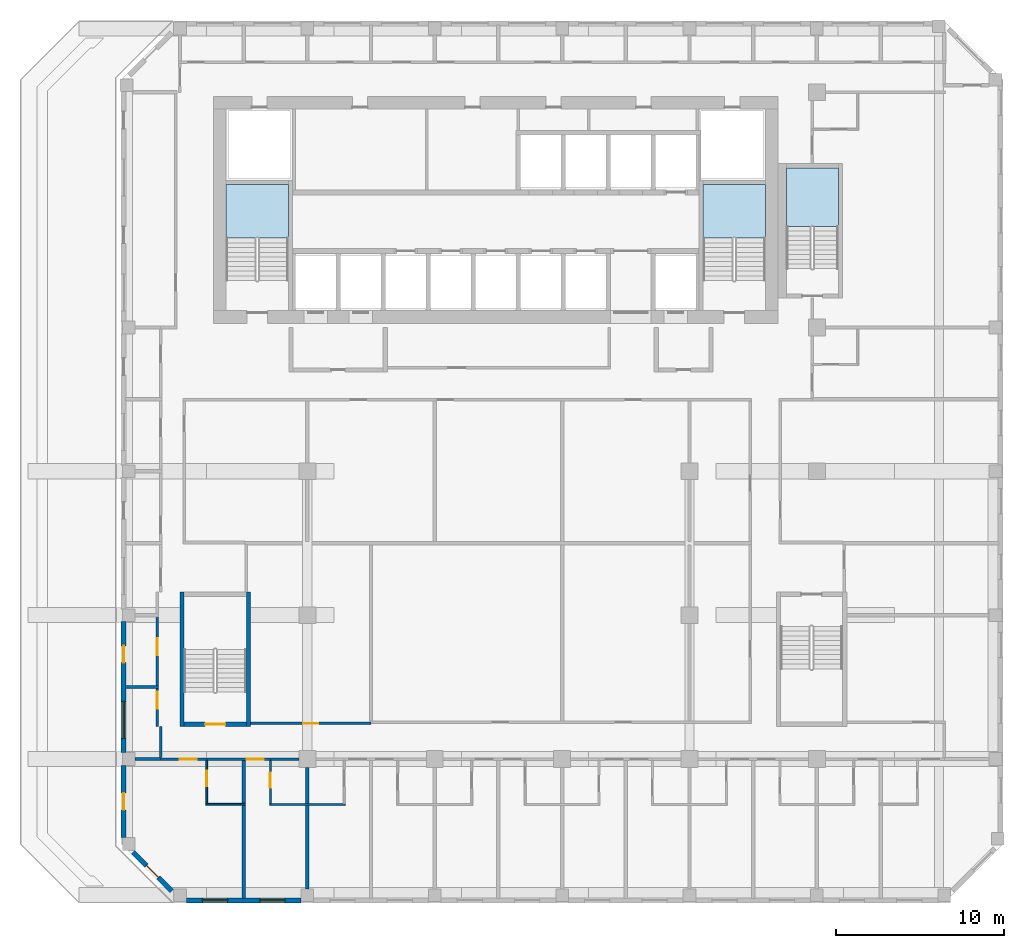
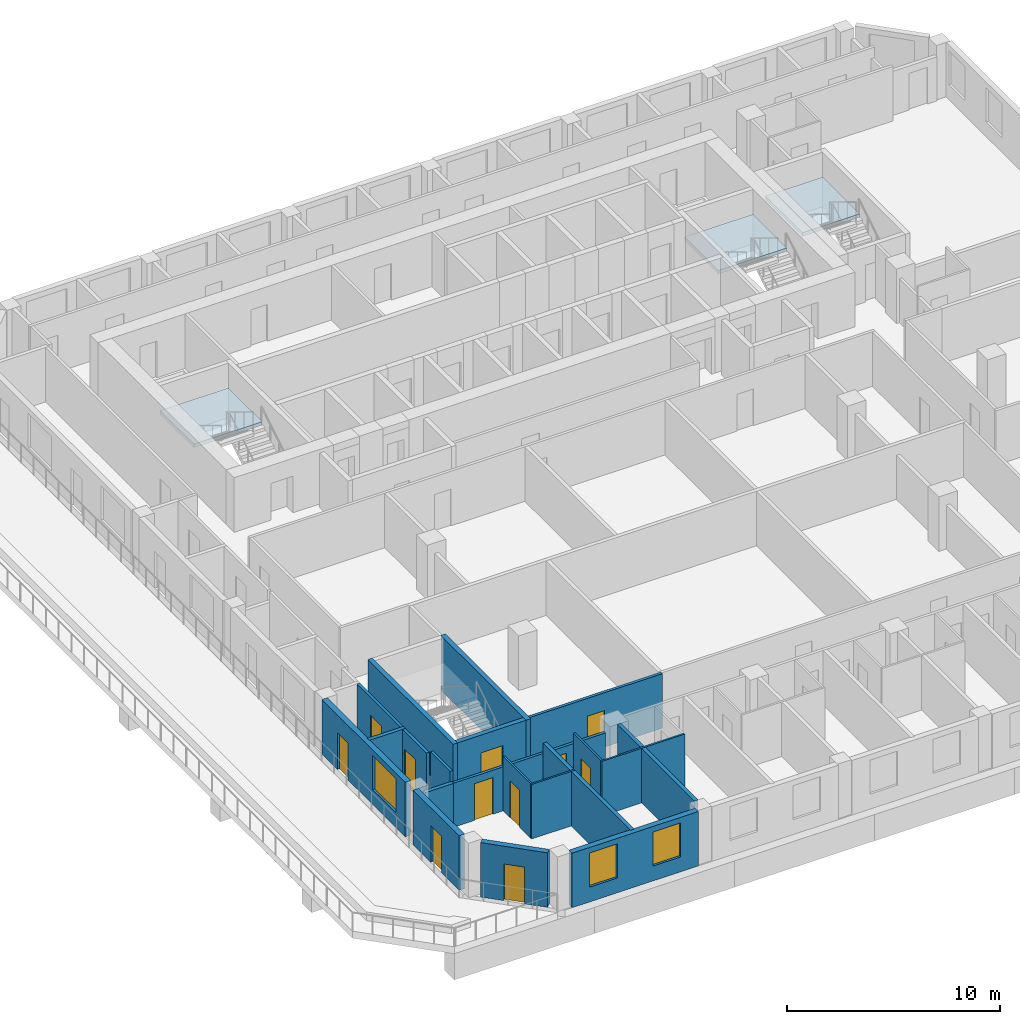
# One storey, part 2 of 16: 22 walls, 11 doors, 3 slabs, 3 windows, 14 openings, 3 elements without a shape of their own.
"""IFC4 building model written with IfcOpenShell, lengths in metres."""

from ifc_helpers import new_model, si_unit, direction, frame, frame_2d, origin, place, context, subcontext, project, spatial, polyline, rectangle, outline, extrude, source, transform, mapped, material, layer, layer_set, type_object, element, fill, aggregate, save


model = new_model("IFC4")

# Units and contexts
model_context = context("Model", 3, precision=1e-05, world=origin(), true_north=direction((0.0, 1.0)))
body_context = subcontext(model_context, "Body", "Model", "MODEL_VIEW")
ifc_project = project(units=[si_unit("LENGTHUNIT", "METRE"), si_unit("AREAUNIT", "SQUARE_METRE"), si_unit("VOLUMEUNIT", "CUBIC_METRE"), si_unit("PLANEANGLEUNIT", "RADIAN"), si_unit("MASSUNIT", "GRAM", prefix="KILO")], contexts=[model_context])

# Site, building, storey
site_placement = place(None, origin())
site = spatial("IfcSite", under=ifc_project, at=site_placement, CompositionType="ELEMENT")
building_placement = place(site_placement, origin())
building = spatial("IfcBuilding", under=site, at=building_placement, Name="Kilnfold Tower and Market Hall", CompositionType="ELEMENT")
storey_placement = place(building_placement, frame((0.0, 0.0, 199.89990234375)))
storey = spatial("IfcBuildingStorey", under=building, at=storey_placement, Name="L48", CompositionType="ELEMENT", Elevation=199.89990234375)

# Stair, slab
ifc_material_1 = material(Name="Concrete C40/50", Category="concrete")
stair_type_1 = type_object("IfcStairType", Name="CORE STAIR 1800", PredefinedType="HALF_TURN_STAIR", material=ifc_material_1)
stair_1_placement = place(storey_placement, origin())
stair_1 = element("IfcStair", 1, at=stair_1_placement, inside=storey, type_object=stair_type_1, Name="L48 ST1", PredefinedType="HALF_TURN_STAIR")
ifc_material_2 = material(Name="Concrete C40/50", Category="concrete")
ifc_layer_1 = layer(ifc_material_2, 0.199951171875)
ifc_layer_set_1 = layer_set([ifc_layer_1], Name="Concrete C40/50")
slab_type = type_object("IfcSlabType", Name="CORE STAIR LANDING 200", PredefinedType="LANDING", material=ifc_layer_set_1)
shared_shape_1 = source(origin(), body_context, "Body", "SweptSolid", [
    extrude(outline(polyline([(-11.300048828125, 13.320068359375), (-11.300048828125, 16.5), (-15.0, 16.5), (-15.0, 13.320068359375), (-11.300048828125, 13.320068359375)])), origin(), (0.0, 0.0, 1.0), 0.2001953125),
])
slab_1_placement = place(storey_placement, frame((0.0, 0.0, 1.5)))
slab_1 = element("IfcSlab", 2, at=slab_1_placement, type_object=slab_type, Name="ST1 landing 1", PredefinedType="LANDING", context=body_context, shape_type="MappedRepresentation", body=[
    mapped(shared_shape_1, transform((0.0, 0.0, 0.0))),
])
aggregate(stair_1, [slab_1])

stair_2_placement = place(storey_placement, origin())
stair_2 = element("IfcStair", 3, at=stair_2_placement, inside=storey, type_object=stair_type_1, Name="L48 ST2", PredefinedType="HALF_TURN_STAIR")
shared_shape_2 = source(origin(), body_context, "Body", "SweptSolid", [
    extrude(outline(polyline([(17.10009765625, 13.320068359375), (17.10009765625, 16.5), (13.39990234375, 16.5), (13.39990234375, 13.320068359375), (17.10009765625, 13.320068359375)])), origin(), (0.0, 0.0, 1.0), 0.2001953125),
])
slab_2_placement = place(storey_placement, frame((0.0, 0.0, 1.5)))
slab_2 = element("IfcSlab", 4, at=slab_2_placement, type_object=slab_type, Name="ST2 landing 1", PredefinedType="LANDING", context=body_context, shape_type="MappedRepresentation", body=[
    mapped(shared_shape_2, transform((0.0, 0.0, 0.0))),
])
aggregate(stair_2, [slab_2])

ifc_material_3 = material(Name="Concrete C40/50", Category="concrete")
stair_type_2 = type_object("IfcStairType", Name="CORE STAIR 1500", PredefinedType="HALF_TURN_STAIR", material=ifc_material_3)
stair_3_placement = place(storey_placement, origin())
stair_3 = element("IfcStair", 5, at=stair_3_placement, inside=storey, type_object=stair_type_2, Name="L48 ST5", PredefinedType="HALF_TURN_STAIR")
shared_shape_3 = source(origin(), body_context, "Body", "SweptSolid", [
    extrude(outline(polyline([(21.449951171875, 14.02001953125), (21.449951171875, 17.5), (18.35009765625, 17.5), (18.35009765625, 14.02001953125), (21.449951171875, 14.02001953125)])), origin(), (0.0, 0.0, 1.0), 0.2001953125),
])
slab_3_placement = place(storey_placement, frame((0.0, 0.0, 1.5)))
slab_3 = element("IfcSlab", 6, at=slab_3_placement, type_object=slab_type, Name="ST5 landing 1", PredefinedType="LANDING", context=body_context, shape_type="MappedRepresentation", body=[
    mapped(shared_shape_3, transform((0.0, 0.0, 0.0))),
])
aggregate(stair_3, [slab_3])

# Wall, openings, doors
ifc_material_4 = material(Name="Gypsum board on steel studs", Category="steel")
ifc_layer_2 = layer(ifc_material_4, 0.14990234375)
ifc_layer_set_2 = layer_set([ifc_layer_2], Name="Gypsum board on steel studs")
wall_type_1 = type_object("IfcWallType", Name="WALL CORRIDOR 150", PredefinedType="PARTITIONING", material=ifc_layer_set_2)
wall_1_placement = place(storey_placement, frame((-18.89990234375, -17.699951171875, 0.0), z_axis=(0.0, 0.0, 1.0), x_axis=(1.0, 0.0, 0.0)))
wall_1 = element("IfcWall", 7, at=wall_1_placement, inside=storey, type_object=wall_type_1, Name="Partition LY30.1", PredefinedType="PARTITIONING", context=body_context, shape_type="SweptSolid", body=[
    extrude(rectangle(XDim=8.23291015625, YDim=0.14990234375, at=frame_2d((4.116455078125, 0.0))), origin(), (0.0, 0.0, 1.0), 2.52001953125),
])
opening_1_placement = place(wall_1_placement, frame((1.135009765625, 0.0, 0.0)))
opening_1 = element("IfcOpeningElement", 8, at=opening_1_placement, cuts=wall_1, Name="Opening D1", PredefinedType="OPENING", context=body_context, shape_type="SweptSolid", body=[
    extrude(rectangle(XDim=1.0, YDim=2.10009765625, at=frame_2d((0.5, 1.050048828125))), frame((0.0, 0.0849609375, 0.0), z_axis=(0.0, -1.0, 0.0), x_axis=(1.0, 0.0, 0.0)), (0.0, 0.0, 1.0), 0.169921875),
])
opening_2_placement = place(wall_1_placement, frame((5.131103515625, 0.0, 0.0)))
opening_2 = element("IfcOpeningElement", 9, at=opening_2_placement, cuts=wall_1, Name="Opening D1", PredefinedType="OPENING", context=body_context, shape_type="SweptSolid", body=[
    extrude(rectangle(XDim=1.0, YDim=2.10009765625, at=frame_2d((0.5, 1.050048828125))), frame((0.0, 0.0849609375, 0.0), z_axis=(0.0, -1.0, 0.0), x_axis=(1.0, 0.0, 0.0)), (0.0, 0.0, 1.0), 0.169921875),
])
ifc_material_5 = material(Name="Timber veneer door leaf in steel frame", Category="steel")
door_type_1 = type_object("IfcDoorType", Name="DOOR ENTRY 1000 X2100", OperationType="NOTDEFINED", PredefinedType="DOOR", material=ifc_material_5)
door_1_placement = place(opening_1_placement, origin())
door_1 = element("IfcDoor", 10, at=door_1_placement, inside=storey, type_object=door_type_1, Name="Door D1", OperationType="SINGLE_SWING_RIGHT", OverallHeight=2.10009765625, OverallWidth=1.0, PredefinedType="DOOR", context=body_context, shape_type="SweptSolid", body=[
    extrude(rectangle(XDim=1.0, YDim=2.10009765625, at=frame_2d((0.5, 1.050048828125))), frame((0.0, 0.02490234375, 0.0), z_axis=(0.0, -1.0, 0.0), x_axis=(1.0, 0.0, 0.0)), (0.0, 0.0, 1.0), 0.050048828125),
])
fill(opening_1, door_1)
door_2_placement = place(opening_2_placement, origin())
door_2 = element("IfcDoor", 11, at=door_2_placement, inside=storey, type_object=door_type_1, Name="Door D1", OperationType="SINGLE_SWING_LEFT", OverallHeight=2.10009765625, OverallWidth=1.0, PredefinedType="DOOR", context=body_context, shape_type="SweptSolid", body=[
    extrude(rectangle(XDim=1.0, YDim=2.10009765625, at=frame_2d((0.5, 1.050048828125))), frame((0.0, 0.02490234375, 0.0), z_axis=(0.0, -1.0, 0.0), x_axis=(1.0, 0.0, 0.0)), (0.0, 0.0, 1.0), 0.050048828125),
])
fill(opening_2, door_2)

# Wall
wall_2_placement = place(storey_placement, frame((-18.89990234375, -17.597900390625, 0.0), z_axis=(0.0, 0.0, 1.0), x_axis=(0.0, 1.0, 0.0)))
element("IfcWall", 12, at=wall_2_placement, inside=storey, type_object=wall_type_1, Name="Partition LY30.9", PredefinedType="PARTITIONING", context=body_context, shape_type="SweptSolid", body=[
    extrude(rectangle(XDim=1.85498046875, YDim=0.14990234375, at=frame_2d((0.927490234375, 0.0))), origin(), (0.0, 0.0, 1.0), 3.1201171875),
])

# Wall, opening, door
wall_3_placement = place(storey_placement, frame((-19.113037109375, -15.742919921875, 0.0), z_axis=(0.0, 0.0, 1.0), x_axis=(0.0, 1.0, 0.0)))
wall_3 = element("IfcWall", 13, at=wall_3_placement, inside=storey, type_object=wall_type_1, Name="Partition LY30.10", PredefinedType="PARTITIONING", context=body_context, shape_type="SweptSolid", body=[
    extrude(rectangle(XDim=2.246826171875, YDim=0.14990234375, at=frame_2d((1.12353515625, 0.0))), origin(), (0.0, 0.0, 1.0), 3.1201171875),
])
opening_3_placement = place(wall_3_placement, frame((1.047119140625, 0.0, 0.0)))
opening_3 = element("IfcOpeningElement", 14, at=opening_3_placement, cuts=wall_3, Name="Opening D4", PredefinedType="OPENING", context=body_context, shape_type="SweptSolid", body=[
    extrude(rectangle(XDim=1.0, YDim=2.10009765625, at=frame_2d((0.5, 1.050048828125))), frame((0.0, 0.0849609375, 0.0), z_axis=(0.0, -1.0, 0.0), x_axis=(1.0, 0.0, 0.0)), (0.0, 0.0, 1.0), 0.169921875),
])
ifc_material_6 = material(Name="Timber veneer door leaf in steel frame", Category="steel")
door_type_2 = type_object("IfcDoorType", Name="DOOR SERVICE 1000 X2100", OperationType="NOTDEFINED", PredefinedType="DOOR", material=ifc_material_6)
door_3_placement = place(opening_3_placement, origin())
door_3 = element("IfcDoor", 15, at=door_3_placement, inside=storey, type_object=door_type_2, Name="Door D4", OperationType="SINGLE_SWING_LEFT", OverallHeight=2.10009765625, OverallWidth=1.0, PredefinedType="DOOR", context=body_context, shape_type="SweptSolid", body=[
    extrude(rectangle(XDim=1.0, YDim=2.10009765625, at=frame_2d((0.5, 1.050048828125))), frame((0.0, 0.02490234375, 0.0), z_axis=(0.0, -1.0, 0.0), x_axis=(1.0, 0.0, 0.0)), (0.0, 0.0, 1.0), 0.050048828125),
])
fill(opening_3, door_3)

wall_4_placement = place(storey_placement, frame((-19.113037109375, -13.31591796875, 0.0), z_axis=(0.0, 0.0, 1.0), x_axis=(0.0, 1.0, 0.0)))
wall_4 = element("IfcWall", 16, at=wall_4_placement, inside=storey, type_object=wall_type_1, Name="Partition LY30.11", PredefinedType="PARTITIONING", context=body_context, shape_type="SweptSolid", body=[
    extrude(rectangle(XDim=4.100830078125, YDim=0.14990234375, at=frame_2d((2.05029296875, 0.0))), origin(), (0.0, 0.0, 1.0), 3.1201171875),
])
opening_4_placement = place(wall_4_placement, frame((1.801025390625, 0.0, 0.0)))
opening_4 = element("IfcOpeningElement", 17, at=opening_4_placement, cuts=wall_4, Name="Opening D4", PredefinedType="OPENING", context=body_context, shape_type="SweptSolid", body=[
    extrude(rectangle(XDim=1.0, YDim=2.10009765625, at=frame_2d((0.5, 1.050048828125))), frame((0.0, 0.0849609375, 0.0), z_axis=(0.0, -1.0, 0.0), x_axis=(1.0, 0.0, 0.0)), (0.0, 0.0, 1.0), 0.169921875),
])
door_4_placement = place(opening_4_placement, origin())
door_4 = element("IfcDoor", 18, at=door_4_placement, inside=storey, type_object=door_type_2, Name="Door D4", OperationType="SINGLE_SWING_RIGHT", OverallHeight=2.10009765625, OverallWidth=1.0, PredefinedType="DOOR", context=body_context, shape_type="SweptSolid", body=[
    extrude(rectangle(XDim=1.0, YDim=2.10009765625, at=frame_2d((0.5, 1.050048828125))), frame((0.0, 0.02490234375, 0.0), z_axis=(0.0, -1.0, 0.0), x_axis=(1.0, 0.0, 0.0)), (0.0, 0.0, 1.0), 0.050048828125),
])
fill(opening_4, door_4)

wall_5_placement = place(storey_placement, frame((-6.364990234375, -15.574951171875, 0.0), z_axis=(0.0, 0.0, 1.0), x_axis=(-1.0, 0.0, 0.0)))
wall_5 = element("IfcWall", 19, at=wall_5_placement, inside=storey, type_object=wall_type_1, Name="Partition LY30.39", PredefinedType="PARTITIONING", context=body_context, shape_type="SweptSolid", body=[
    extrude(rectangle(XDim=7.18505859375, YDim=0.14990234375, at=frame_2d((3.592529296875, 0.0))), origin(), (0.0, 0.0, 1.0), 3.1201171875),
])
opening_5_placement = place(wall_5_placement, frame((3.14306640625, 0.0, 0.0)))
opening_5 = element("IfcOpeningElement", 20, at=opening_5_placement, cuts=wall_5, Name="Opening D2", PredefinedType="OPENING", context=body_context, shape_type="SweptSolid", body=[
    extrude(rectangle(XDim=0.89990234375, YDim=2.10009765625, at=frame_2d((0.449951171875, 1.050048828125))), frame((0.0, 0.0849609375, 0.0), z_axis=(0.0, -1.0, 0.0), x_axis=(1.0, 0.0, 0.0)), (0.0, 0.0, 1.0), 0.169921875),
])
ifc_material_7 = material(Name="Timber veneer door leaf in steel frame", Category="steel")
door_type_3 = type_object("IfcDoorType", Name="DOOR ROOM 900 X2100", OperationType="NOTDEFINED", PredefinedType="DOOR", material=ifc_material_7)
door_5_placement = place(opening_5_placement, origin())
door_5 = element("IfcDoor", 21, at=door_5_placement, inside=storey, type_object=door_type_3, Name="Door D2", OperationType="SINGLE_SWING_RIGHT", OverallHeight=2.10009765625, OverallWidth=0.89990234375, PredefinedType="DOOR", context=body_context, shape_type="SweptSolid", body=[
    extrude(rectangle(XDim=0.89990234375, YDim=2.10009765625, at=frame_2d((0.449951171875, 1.050048828125))), frame((0.0, 0.02490234375, 0.0), z_axis=(0.0, -1.0, 0.0), x_axis=(1.0, 0.0, 0.0)), (0.0, 0.0, 1.0), 0.050048828125),
])
fill(opening_5, door_5)

ifc_material_8 = material(Name="Gypsum board on steel studs", Category="steel")
ifc_layer_3 = layer(ifc_material_8, 0.10009765625)
ifc_layer_set_3 = layer_set([ifc_layer_3], Name="Gypsum board on steel studs")
wall_type_2 = type_object("IfcWallType", Name="WALL PARTITION 100", PredefinedType="PARTITIONING", material=ifc_layer_set_3)
wall_6_placement = place(storey_placement, frame((-16.158935546875, -20.337890625, 0.0), z_axis=(0.0, 0.0, 1.0), x_axis=(0.0, 1.0, 0.0)))
wall_6 = element("IfcWall", 22, at=wall_6_placement, inside=storey, type_object=wall_type_2, Name="Partition LY30.42", PredefinedType="PARTITIONING", context=body_context, shape_type="SweptSolid", body=[
    extrude(rectangle(XDim=2.560791015625, YDim=0.10009765625, at=frame_2d((1.2802734375, 0.0))), origin(), (0.0, 0.0, 1.0), 3.1201171875),
])
opening_6_placement = place(wall_6_placement, frame((1.041015625, 0.0, 0.0)))
opening_6 = element("IfcOpeningElement", 23, at=opening_6_placement, cuts=wall_6, Name="Opening D3", PredefinedType="OPENING", context=body_context, shape_type="SweptSolid", body=[
    extrude(rectangle(XDim=0.89990234375, YDim=2.10009765625, at=frame_2d((0.449951171875, 1.050048828125))), frame((0.0, 0.06005859375, 0.0), z_axis=(0.0, -1.0, 0.0), x_axis=(1.0, 0.0, 0.0)), (0.0, 0.0, 1.0), 0.1201171875),
])
ifc_material_9 = material(Name="Timber veneer door leaf in steel frame", Category="steel")
door_type_4 = type_object("IfcDoorType", Name="DOOR WC 900 X2100", OperationType="NOTDEFINED", PredefinedType="DOOR", material=ifc_material_9)
door_6_placement = place(opening_6_placement, origin())
door_6 = element("IfcDoor", 24, at=door_6_placement, inside=storey, type_object=door_type_4, Name="Door D3", OperationType="SINGLE_SWING_LEFT", OverallHeight=2.10009765625, OverallWidth=0.89990234375, PredefinedType="DOOR", context=body_context, shape_type="SweptSolid", body=[
    extrude(rectangle(XDim=0.89990234375, YDim=2.10009765625, at=frame_2d((0.449951171875, 1.050048828125))), frame((0.0, 0.02490234375, 0.0), z_axis=(0.0, -1.0, 0.0), x_axis=(1.0, 0.0, 0.0)), (0.0, 0.0, 1.0), 0.050048828125),
])
fill(opening_6, door_6)

# Wall
wall_7_placement = place(storey_placement, frame((-16.208984375, -20.387939453125, 0.0), z_axis=(0.0, 0.0, 1.0), x_axis=(1.0, 0.0, 0.0)))
element("IfcWall", 25, at=wall_7_placement, inside=storey, type_object=wall_type_2, Name="Partition LY30.43", PredefinedType="PARTITIONING", context=body_context, shape_type="SweptSolid", body=[
    extrude(rectangle(XDim=2.35009765625, YDim=0.10009765625, at=frame_2d((1.175048828125, 0.0))), origin(), (0.0, 0.0, 1.0), 3.1201171875),
])

# Wall, opening, door
wall_8_placement = place(storey_placement, frame((-12.366943359375, -20.35205078125, 0.0), z_axis=(0.0, 0.0, 1.0), x_axis=(0.0, 1.0, 0.0)))
wall_8 = element("IfcWall", 26, at=wall_8_placement, inside=storey, type_object=wall_type_2, Name="Partition LY30.47", PredefinedType="PARTITIONING", context=body_context, shape_type="SweptSolid", body=[
    extrude(rectangle(XDim=2.574951171875, YDim=0.10009765625, at=frame_2d((1.28759765625, 0.0))), origin(), (0.0, 0.0, 1.0), 3.1201171875),
])
opening_7_placement = place(wall_8_placement, frame((0.944091796875, 0.0, 0.0)))
opening_7 = element("IfcOpeningElement", 27, at=opening_7_placement, cuts=wall_8, Name="Opening D3", PredefinedType="OPENING", context=body_context, shape_type="SweptSolid", body=[
    extrude(rectangle(XDim=0.89990234375, YDim=2.10009765625, at=frame_2d((0.449951171875, 1.050048828125))), frame((0.0, 0.06005859375, 0.0), z_axis=(0.0, -1.0, 0.0), x_axis=(1.0, 0.0, 0.0)), (0.0, 0.0, 1.0), 0.1201171875),
])
door_7_placement = place(opening_7_placement, origin())
door_7 = element("IfcDoor", 28, at=door_7_placement, inside=storey, type_object=door_type_4, Name="Door D3", OperationType="SINGLE_SWING_RIGHT", OverallHeight=2.10009765625, OverallWidth=0.89990234375, PredefinedType="DOOR", context=body_context, shape_type="SweptSolid", body=[
    extrude(rectangle(XDim=0.89990234375, YDim=2.10009765625, at=frame_2d((0.449951171875, 1.050048828125))), frame((0.0, 0.02490234375, 0.0), z_axis=(0.0, -1.0, 0.0), x_axis=(1.0, 0.0, 0.0)), (0.0, 0.0, 1.0), 0.050048828125),
])
fill(opening_7, door_7)

# Walls
wall_9_placement = place(storey_placement, frame((-12.4169921875, -20.402099609375, 0.0), z_axis=(0.0, 0.0, 1.0), x_axis=(1.0, 0.0, 0.0)))
element("IfcWall", 29, at=wall_9_placement, inside=storey, type_object=wall_type_2, Name="Partition LY30.48", PredefinedType="PARTITIONING", context=body_context, shape_type="SweptSolid", body=[
    extrude(rectangle(XDim=4.5, YDim=0.10009765625, at=frame_2d((2.25, 0.0))), origin(), (0.0, 0.0, 1.0), 3.1201171875),
])
ifc_material_10 = material(Name="Gypsum board on steel studs", Category="steel")
ifc_layer_4 = layer(ifc_material_10, 0.199951171875)
ifc_layer_set_4 = layer_set([ifc_layer_4], Name="Gypsum board on steel studs")
wall_type_3 = type_object("IfcWallType", Name="WALL PARTY 200", PredefinedType="PARTITIONING", material=ifc_layer_set_4)
wall_10_placement = place(storey_placement, frame((-13.958984375, -26.0, 0.0), z_axis=(0.0, 0.0, 1.0), x_axis=(0.0, 1.0, 0.0)))
element("IfcWall", 30, at=wall_10_placement, inside=storey, type_object=wall_type_3, Name="Partition LY30.44", PredefinedType="PARTITIONING", context=body_context, shape_type="SweptSolid", body=[
    extrude(rectangle(XDim=5.56201171875, YDim=0.199951171875, at=frame_2d((2.781005859375, 0.0))), origin(), (0.0, 0.0, 1.0), 3.1201171875),
])
wall_11_placement = place(storey_placement, frame((-20.425048828125, -17.68798828125, 0.0), z_axis=(0.0, 0.0, 1.0), x_axis=(1.0, 0.0, 0.0)))
element("IfcWall", 31, at=wall_11_placement, inside=storey, type_object=wall_type_3, Name="Partition LY30.45", PredefinedType="PARTITIONING", context=body_context, shape_type="SweptSolid", body=[
    extrude(rectangle(XDim=1.52294921875, YDim=0.199951171875, at=frame_2d((0.761474609375, 0.0))), origin(), (0.0, 0.0, 1.0), 2.52001953125),
])
wall_12_placement = place(storey_placement, frame((-13.958984375, -20.337890625, 0.0), z_axis=(0.0, 0.0, 1.0), x_axis=(0.0, 1.0, 0.0)))
element("IfcWall", 32, at=wall_12_placement, inside=storey, type_object=wall_type_3, Name="Partition LY30.46", PredefinedType="PARTITIONING", context=body_context, shape_type="SweptSolid", body=[
    extrude(rectangle(XDim=2.560791015625, YDim=0.199951171875, at=frame_2d((1.2802734375, 0.0))), origin(), (0.0, 0.0, 1.0), 3.1201171875),
])
wall_13_placement = place(storey_placement, frame((-10.1669921875, -25.425048828125, 0.0), z_axis=(0.0, 0.0, 1.0), x_axis=(0.0, 1.0, 0.0)))
element("IfcWall", 33, at=wall_13_placement, inside=storey, type_object=wall_type_3, Name="Partition LY30.49", PredefinedType="PARTITIONING", context=body_context, shape_type="SweptSolid", body=[
    extrude(rectangle(XDim=4.97314453125, YDim=0.199951171875, at=frame_2d((2.486572265625, 0.0))), origin(), (0.0, 0.0, 1.0), 3.1201171875),
])
wall_14_placement = place(storey_placement, frame((-10.1669921875, -20.35205078125, 0.0), z_axis=(0.0, 0.0, 1.0), x_axis=(0.0, 1.0, 0.0)))
element("IfcWall", 34, at=wall_14_placement, inside=storey, type_object=wall_type_3, Name="Partition LY30.50", PredefinedType="PARTITIONING", context=body_context, shape_type="SweptSolid", body=[
    extrude(rectangle(XDim=2.1640625, YDim=0.199951171875, at=frame_2d((1.08203125, 0.0))), origin(), (0.0, 0.0, 1.0), 3.1201171875),
])
wall_15_placement = place(storey_placement, frame((-19.027099609375, -13.406005859375, 0.0), z_axis=(0.0, 0.0, 1.0), x_axis=(-1.0, 0.0, 0.0)))
element("IfcWall", 35, at=wall_15_placement, inside=storey, type_object=wall_type_3, Name="Partition LY30.83", PredefinedType="PARTITIONING", context=body_context, shape_type="SweptSolid", body=[
    extrude(rectangle(XDim=1.972900390625, YDim=0.199951171875, at=frame_2d((0.986328125, 0.0))), origin(), (0.0, 0.0, 1.0), 3.1201171875),
])

# Wall, opening, door
ifc_material_11 = material(Name="Concrete C60", Category="concrete")
ifc_layer_5 = layer(ifc_material_11, 0.25)
ifc_layer_set_5 = layer_set([ifc_layer_5], Name="Concrete C60")
wall_type_4 = type_object("IfcWallType", Name="CORE WALL 250 C60", PredefinedType="SHEAR", material=ifc_layer_set_5)
shared_shape_4 = source(origin(), body_context, "Body", "SweptSolid", [
    extrude(rectangle(XDim=3.699951171875, YDim=0.25, at=frame_2d((1.85009765625, 0.0))), origin(), (0.0, 0.0, 1.0), 3.1201171875),
])
wall_16_placement = place(storey_placement, frame((-17.5, -15.625, 0.0), z_axis=(0.0, 0.0, 1.0), x_axis=(1.0, 0.0, 0.0)))
wall_16 = element("IfcWall", 36, at=wall_16_placement, inside=storey, type_object=wall_type_4, Name="Stair enclosure ST3", PredefinedType="SHEAR", context=body_context, shape_type="MappedRepresentation", body=[
    mapped(shared_shape_4, transform((0.0, 0.0, 0.0))),
])
opening_8_placement = place(wall_16_placement, frame((1.25, 0.0, 0.0)))
opening_8 = element("IfcOpeningElement", 37, at=opening_8_placement, cuts=wall_16, Name="Opening SD1", PredefinedType="OPENING", context=body_context, shape_type="SweptSolid", body=[
    extrude(rectangle(XDim=1.199951171875, YDim=2.10009765625, at=frame_2d((0.60009765625, 1.050048828125))), frame((0.0, 0.135009765625, 0.0), z_axis=(0.0, -1.0, 0.0), x_axis=(1.0, 0.0, 0.0)), (0.0, 0.0, 1.0), 0.27001953125),
])
ifc_material_12 = material(Name="Steel door set with fire-resisting leaf", Category="steel")
door_type_5 = type_object("IfcDoorType", Name="STAIR FLOOR DOOR 1200X2100", OperationType="NOTDEFINED", PredefinedType="DOOR", material=ifc_material_12)
door_8_placement = place(opening_8_placement, origin())
door_8 = element("IfcDoor", 38, at=door_8_placement, inside=storey, type_object=door_type_5, Name="Exit stair ST3 door", OperationType="DOUBLE_DOOR_SINGLE_SWING", OverallHeight=2.10009765625, OverallWidth=1.199951171875, PredefinedType="DOOR", context=body_context, shape_type="SweptSolid", body=[
    extrude(rectangle(XDim=1.199951171875, YDim=2.10009765625, at=frame_2d((0.60009765625, 1.050048828125))), frame((0.0, 0.02490234375, 0.0), z_axis=(0.0, -1.0, 0.0), x_axis=(1.0, 0.0, 0.0)), (0.0, 0.0, 1.0), 0.050048828125),
])
fill(opening_8, door_8)

# Walls
shared_shape_5 = source(origin(), body_context, "Body", "SweptSolid", [
    extrude(rectangle(XDim=8.0, YDim=0.25, at=frame_2d((4.0, 0.0))), origin(), (0.0, 0.0, 1.0), 3.1201171875),
])
for number, where, z_axis, x_axis, name in (
    (39, (-17.625, -15.75, 0.0), (0.0, 0.0, 1.0), (0.0, 1.0, 0.0), "Stair enclosure ST3"),
    (40, (-13.675048828125, -15.75, 0.0), (0.0, 0.0, 1.0), (0.0, 1.0, 0.0), "Stair enclosure ST3"),
):
    element("IfcWall", number, at=place(storey_placement, frame(where, z_axis=z_axis, x_axis=x_axis)), inside=storey, type_object=wall_type_4, Name=name, PredefinedType="SHEAR", context=body_context, shape_type="MappedRepresentation", body=[
        mapped(shared_shape_5, transform((0.0, 0.0, 0.0))),
    ])

# Wall, openings, windows
ifc_material_13 = material(Name="Precast concrete C50/60", Category="concrete")
ifc_layer_6 = layer(ifc_material_13, 0.300048828125)
ifc_layer_set_6 = layer_set([ifc_layer_6], Name="Precast concrete C50/60")
wall_type_5 = type_object("IfcWallType", Name="PRECAST WALL 300", PredefinedType="SOLIDWALL", material=ifc_layer_set_6)
shared_shape_6 = source(origin(), body_context, "Body", "SweptSolid", [
    extrude(rectangle(XDim=6.833251953125, YDim=0.300048828125, at=frame_2d((3.41650390625, 0.0))), origin(), (0.0, 0.0, 1.0), 3.1201171875),
])
wall_17_placement = place(storey_placement, frame((-17.375, -26.10009765625, 0.0), z_axis=(0.0, 0.0, 1.0), x_axis=(1.0, 0.0, 0.0)))
wall_17 = element("IfcWall", 41, at=wall_17_placement, inside=storey, type_object=wall_type_5, Name="External wall L48 S", PredefinedType="SOLIDWALL", context=body_context, shape_type="MappedRepresentation", body=[
    mapped(shared_shape_6, transform((0.0, 0.0, 0.0))),
])
opening_9_placement = place(wall_17_placement, frame((0.95849609375, 0.0, 0.85009765625)))
opening_9 = element("IfcOpeningElement", 42, at=opening_9_placement, cuts=wall_17, Name="Opening W4", PredefinedType="OPENING", context=body_context, shape_type="SweptSolid", body=[
    extrude(rectangle(XDim=1.5, YDim=1.949951171875, at=frame_2d((0.75, 0.97509765625))), frame((0.0, 0.16015625, 0.0), z_axis=(0.0, -1.0, 0.0), x_axis=(1.0, 0.0, 0.0)), (0.0, 0.0, 1.0), 0.320068359375),
])
opening_10_placement = place(wall_17_placement, frame((4.375, 0.0, 0.85009765625)))
opening_10 = element("IfcOpeningElement", 43, at=opening_10_placement, cuts=wall_17, Name="Opening W4", PredefinedType="OPENING", context=body_context, shape_type="SweptSolid", body=[
    extrude(rectangle(XDim=1.5, YDim=1.949951171875, at=frame_2d((0.75, 0.97509765625))), frame((0.0, 0.16015625, 0.0), z_axis=(0.0, -1.0, 0.0), x_axis=(1.0, 0.0, 0.0)), (0.0, 0.0, 1.0), 0.320068359375),
])
ifc_material_14 = material(Name="Aluminium frame and double glazing", Category="aluminium")
window_type_1 = type_object("IfcWindowType", Name="WINDOW W4 1500X1950", PartitioningType="SINGLE_PANEL", PredefinedType="WINDOW", material=ifc_material_14)
window_1_placement = place(opening_9_placement, origin())
window_1 = element("IfcWindow", 44, at=window_1_placement, inside=storey, type_object=window_type_1, Name="Window W4 L48 S-1", OverallHeight=1.949951171875, OverallWidth=1.5, PartitioningType="SINGLE_PANEL", PredefinedType="WINDOW", context=body_context, shape_type="SweptSolid", body=[
    extrude(rectangle(XDim=1.5, YDim=1.949951171875, at=frame_2d((0.75, 0.97509765625))), frame((0.0, 0.030029296875, 0.0), z_axis=(0.0, -1.0, 0.0), x_axis=(1.0, 0.0, 0.0)), (0.0, 0.0, 1.0), 0.06005859375),
])
fill(opening_9, window_1)
window_2_placement = place(opening_10_placement, origin())
window_2 = element("IfcWindow", 45, at=window_2_placement, inside=storey, type_object=window_type_1, Name="Window W4 L48 S-2", OverallHeight=1.949951171875, OverallWidth=1.5, PartitioningType="SINGLE_PANEL", PredefinedType="WINDOW", context=body_context, shape_type="SweptSolid", body=[
    extrude(rectangle(XDim=1.5, YDim=1.949951171875, at=frame_2d((0.75, 0.97509765625))), frame((0.0, 0.030029296875, 0.0), z_axis=(0.0, -1.0, 0.0), x_axis=(1.0, 0.0, 0.0)), (0.0, 0.0, 1.0), 0.06005859375),
])
fill(opening_10, window_2)

# Wall, openings, door, window
shared_shape_7 = source(origin(), body_context, "Body", "SweptSolid", [
    extrude(rectangle(XDim=7.8125, YDim=0.300048828125, at=frame_2d((3.90625, 0.0))), origin(), (0.0, 0.0, 1.0), 3.1201171875),
])
wall_18_placement = place(storey_placement, frame((-21.10009765625, -9.5, 0.0), z_axis=(0.0, 0.0, 1.0), x_axis=(0.0, -1.0, 0.0)))
wall_18 = element("IfcWall", 46, at=wall_18_placement, inside=storey, type_object=wall_type_5, Name="External wall L48 W", PredefinedType="SOLIDWALL", context=body_context, shape_type="MappedRepresentation", body=[
    mapped(shared_shape_7, transform((0.0, 0.0, 0.0))),
])
opening_11_placement = place(wall_18_placement, frame((1.453125, 0.0, 0.0)))
opening_11 = element("IfcOpeningElement", 47, at=opening_11_placement, cuts=wall_18, Name="Opening BD1", PredefinedType="OPENING", context=body_context, shape_type="SweptSolid", body=[
    extrude(rectangle(XDim=1.0, YDim=2.10009765625, at=frame_2d((0.5, 1.050048828125))), frame((0.0, 0.16015625, 0.0), z_axis=(0.0, -1.0, 0.0), x_axis=(1.0, 0.0, 0.0)), (0.0, 0.0, 1.0), 0.320068359375),
])
opening_12_placement = place(wall_18_placement, frame((4.75927734375, 0.0, 0.85009765625)))
opening_12 = element("IfcOpeningElement", 48, at=opening_12_placement, cuts=wall_18, Name="Opening W2", PredefinedType="OPENING", context=body_context, shape_type="SweptSolid", body=[
    extrude(rectangle(XDim=2.199951171875, YDim=1.949951171875, at=frame_2d((1.10009765625, 0.97509765625))), frame((0.0, 0.16015625, 0.0), z_axis=(0.0, -1.0, 0.0), x_axis=(1.0, 0.0, 0.0)), (0.0, 0.0, 1.0), 0.320068359375),
])
ifc_material_15 = material(Name="Aluminium frame and double glazing", Category="aluminium")
door_type_6 = type_object("IfcDoorType", Name="BALCONY DOOR 1000X2100", OperationType="NOTDEFINED", PredefinedType="DOOR", material=ifc_material_15)
door_9_placement = place(opening_11_placement, origin())
door_9 = element("IfcDoor", 49, at=door_9_placement, inside=storey, type_object=door_type_6, Name="Balcony door BD1 L48 W-1", OperationType="SINGLE_SWING_LEFT", OverallHeight=2.10009765625, OverallWidth=1.0, PredefinedType="DOOR", context=body_context, shape_type="SweptSolid", body=[
    extrude(rectangle(XDim=1.0, YDim=2.10009765625, at=frame_2d((0.5, 1.050048828125))), frame((0.0, 0.02490234375, 0.0), z_axis=(0.0, -1.0, 0.0), x_axis=(1.0, 0.0, 0.0)), (0.0, 0.0, 1.0), 0.050048828125),
])
fill(opening_11, door_9)
ifc_material_16 = material(Name="Aluminium frame and double glazing", Category="aluminium")
window_type_2 = type_object("IfcWindowType", Name="WINDOW W2 2200X1950", PartitioningType="SINGLE_PANEL", PredefinedType="WINDOW", material=ifc_material_16)
window_3_placement = place(opening_12_placement, origin())
window_3 = element("IfcWindow", 50, at=window_3_placement, inside=storey, type_object=window_type_2, Name="Window W2 L48 W-2", OverallHeight=1.949951171875, OverallWidth=2.199951171875, PartitioningType="SINGLE_PANEL", PredefinedType="WINDOW", context=body_context, shape_type="SweptSolid", body=[
    extrude(rectangle(XDim=2.199951171875, YDim=1.949951171875, at=frame_2d((1.10009765625, 0.97509765625))), frame((0.0, 0.030029296875, 0.0), z_axis=(0.0, -1.0, 0.0), x_axis=(1.0, 0.0, 0.0)), (0.0, 0.0, 1.0), 0.06005859375),
])
fill(opening_12, window_3)

# Wall, opening, door
shared_shape_8 = source(origin(), body_context, "Body", "SweptSolid", [
    extrude(rectangle(XDim=4.3125, YDim=0.300048828125, at=frame_2d((2.15625, 0.0))), origin(), (0.0, 0.0, 1.0), 3.1201171875),
])
wall_19_placement = place(storey_placement, frame((-21.10009765625, -18.0625, 0.0), z_axis=(0.0, 0.0, 1.0), x_axis=(0.0, -1.0, 0.0)))
wall_19 = element("IfcWall", 51, at=wall_19_placement, inside=storey, type_object=wall_type_5, Name="External wall L48 W", PredefinedType="SOLIDWALL", context=body_context, shape_type="MappedRepresentation", body=[
    mapped(shared_shape_8, transform((0.0, 0.0, 0.0))),
])
opening_13_placement = place(wall_19_placement, frame((1.65625, 0.0, 0.0)))
opening_13 = element("IfcOpeningElement", 52, at=opening_13_placement, cuts=wall_19, Name="Opening BD1", PredefinedType="OPENING", context=body_context, shape_type="SweptSolid", body=[
    extrude(rectangle(XDim=1.0, YDim=2.10009765625, at=frame_2d((0.5, 1.050048828125))), frame((0.0, 0.16015625, 0.0), z_axis=(0.0, -1.0, 0.0), x_axis=(1.0, 0.0, 0.0)), (0.0, 0.0, 1.0), 0.320068359375),
])
door_10_placement = place(opening_13_placement, origin())
door_10 = element("IfcDoor", 53, at=door_10_placement, inside=storey, type_object=door_type_6, Name="Balcony door BD1 L48 W-1", OperationType="SINGLE_SWING_LEFT", OverallHeight=2.10009765625, OverallWidth=1.0, PredefinedType="DOOR", context=body_context, shape_type="SweptSolid", body=[
    extrude(rectangle(XDim=1.0, YDim=2.10009765625, at=frame_2d((0.5, 1.050048828125))), frame((0.0, 0.02490234375, 0.0), z_axis=(0.0, -1.0, 0.0), x_axis=(1.0, 0.0, 0.0)), (0.0, 0.0, 1.0), 0.050048828125),
])
fill(opening_13, door_10)

shared_shape_9 = source(origin(), body_context, "Body", "SweptSolid", [
    extrude(rectangle(XDim=3.252685546875, YDim=0.300048828125, at=frame_2d((1.62646484375, 0.0))), origin(), (0.0, 0.0, 1.0), 3.1201171875),
])
wall_20_placement = place(storey_placement, frame((-20.5439453125, -23.243896484375, 0.0), z_axis=(0.0, 0.0, 1.0), x_axis=(0.707106781187, -0.707106781187, 0.0)))
wall_20 = element("IfcWall", 54, at=wall_20_placement, inside=storey, type_object=wall_type_5, Name="External wall L48 SW", PredefinedType="SOLIDWALL", context=body_context, shape_type="MappedRepresentation", body=[
    mapped(shared_shape_9, transform((0.0, 0.0, 0.0))),
])
opening_14_placement = place(wall_20_placement, frame((1.126220703125, 0.0, 0.0)))
opening_14 = element("IfcOpeningElement", 55, at=opening_14_placement, cuts=wall_20, Name="Opening BD1", PredefinedType="OPENING", context=body_context, shape_type="SweptSolid", body=[
    extrude(rectangle(XDim=1.0, YDim=2.10009765625, at=frame_2d((0.5, 1.050048828125))), frame((0.0, 0.16015625, 0.0), z_axis=(0.0, -1.0, 0.0), x_axis=(1.0, 0.0, 0.0)), (0.0, 0.0, 1.0), 0.320068359375),
])
door_11_placement = place(opening_14_placement, origin())
door_11 = element("IfcDoor", 56, at=door_11_placement, inside=storey, type_object=door_type_6, Name="Balcony door BD1 L48 SW-1", OperationType="SINGLE_SWING_LEFT", OverallHeight=2.10009765625, OverallWidth=1.0, PredefinedType="DOOR", context=body_context, shape_type="SweptSolid", body=[
    extrude(rectangle(XDim=1.0, YDim=2.10009765625, at=frame_2d((0.5, 1.050048828125))), frame((0.0, 0.02490234375, 0.0), z_axis=(0.0, -1.0, 0.0), x_axis=(1.0, 0.0, 0.0)), (0.0, 0.0, 1.0), 0.050048828125),
])
fill(opening_14, door_11)

save(model, "model.ifc")
